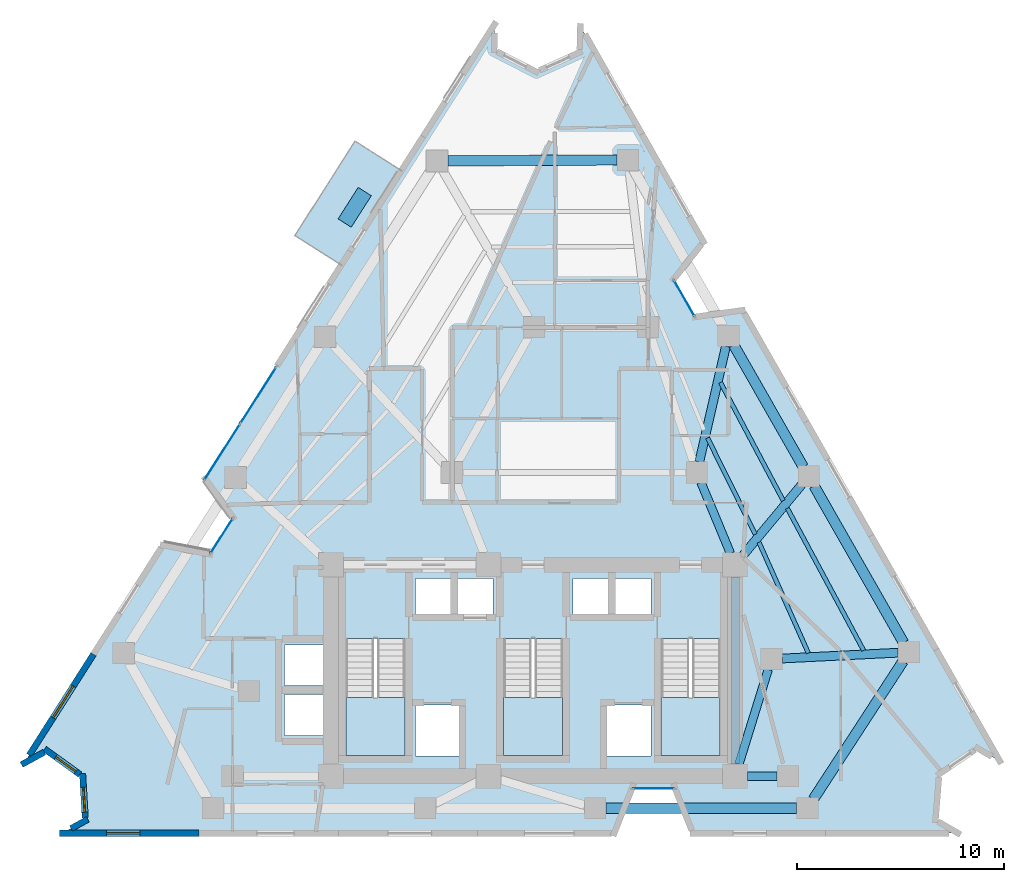
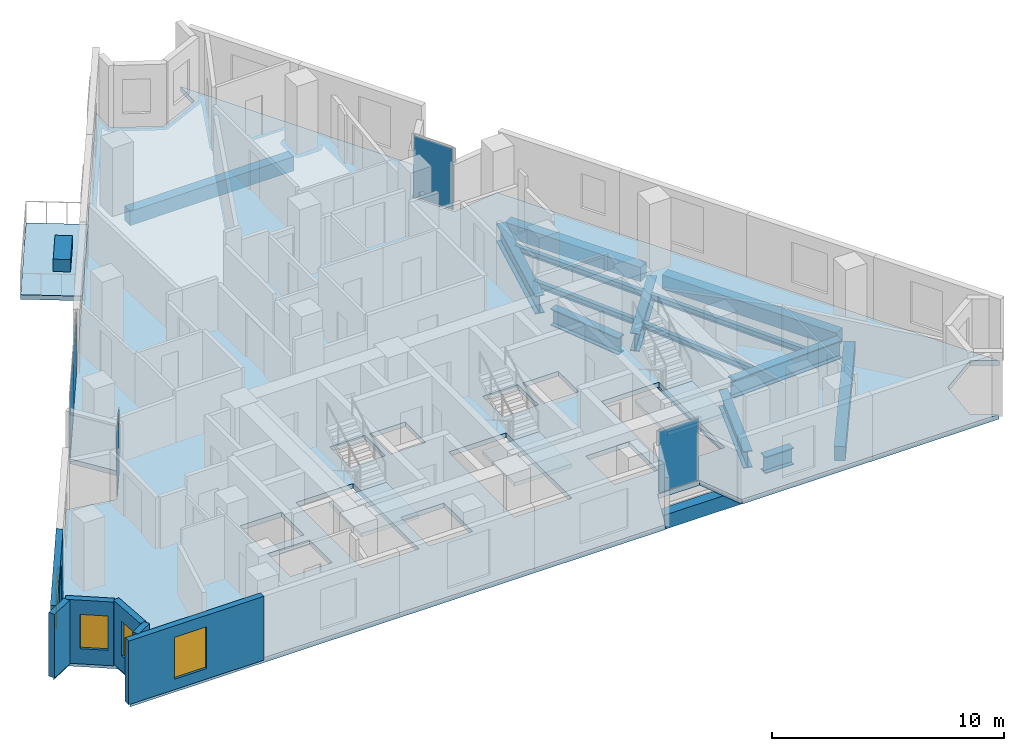
# One storey, part 4 of 11: 16 beams, 6 plates, 6 walls, 5 slabs, 4 windows, 4 openings, 7 elements without a shape of their own.
"""IFC4 building model written with IfcOpenShell, lengths in metres."""

from ifc_helpers import new_model, si_unit, direction, frame, frame_2d, origin, origin_2d, place, context, subcontext, project, spatial, polyline, rectangle, i_section, outline, extrude, material, layer, layer_set, material_profile, profile_set, type_object, element, fill, aggregate, save


model = new_model("IFC4")

# Units and contexts
model_context = context("Model", 3, precision=1e-05, world=origin(), true_north=direction((0.0, 1.0)))
body_context = subcontext(model_context, "Body", "Model", "MODEL_VIEW")
ifc_project = project(units=[si_unit("LENGTHUNIT", "METRE"), si_unit("AREAUNIT", "SQUARE_METRE"), si_unit("VOLUMEUNIT", "CUBIC_METRE"), si_unit("PLANEANGLEUNIT", "RADIAN"), si_unit("MASSUNIT", "GRAM", prefix="KILO")], contexts=[model_context])

# Site, building, storey
site_placement = place(None, origin())
site = spatial("IfcSite", under=ifc_project, at=site_placement, CompositionType="ELEMENT")
building_placement = place(site_placement, origin())
building = spatial("IfcBuilding", under=site, at=building_placement, Name="Almagre Mirador Tower", CompositionType="ELEMENT")
storey_placement = place(building_placement, frame((0.0, 0.0, 135.60009765625)))
storey = spatial("IfcBuildingStorey", under=building, at=storey_placement, Name="L34", CompositionType="ELEMENT", Elevation=135.60009765625)

# Beams
ifc_material_1 = material(Name="Steel ASTM A992 Grade 50", Category="steel")
ifc_material_profile_1 = material_profile(ifc_material_1, i_section(OverallWidth=0.205078125, OverallDepth=0.31005859375, WebThickness=0.009521484375, FlangeThickness=0.016357421875, FilletRadius=0.013916015625, at=origin_2d()), Name="W12X50")
ifc_profile_set_1 = profile_set([ifc_material_profile_1], Name="Steel ASTM A992 Grade 50")
beam_type_1 = type_object("IfcBeamType", Name="BM-JST-W12X50", PredefinedType="JOIST", material=ifc_profile_set_1)
beam_1_placement = place(storey_placement, frame((53.245849609375, 10.614501953125, -0.405029296875), z_axis=(-0.472731547303, 0.881206493499, 0.0), x_axis=(-0.881206493499, -0.472731547303, 0.0)))
element("IfcBeam", 1, at=beam_1_placement, inside=storey, type_object=beam_type_1, Name="L34 secondary floor joist PC05-PC06.1", PredefinedType="JOIST", context=body_context, shape_type="SweptSolid", body=[
    extrude(i_section(OverallWidth=0.205078125, OverallDepth=0.31005859375, WebThickness=0.009521484375, FlangeThickness=0.016357421875, FilletRadius=0.013916015625, at=origin_2d()), origin(), (0.0, 0.0, 1.0), 7.78125),
])
beam_2_placement = place(storey_placement, frame((50.578857421875, 10.48681640625, -0.405029296875), z_axis=(-0.406842691212, 0.913498234595, 0.0), x_axis=(-0.913498234595, -0.406842691212, 0.0)))
element("IfcBeam", 2, at=beam_2_placement, inside=storey, type_object=beam_type_1, Name="L34 secondary floor joist PC05-PC06.3", PredefinedType="JOIST", context=body_context, shape_type="SweptSolid", body=[
    extrude(i_section(OverallWidth=0.205078125, OverallDepth=0.31005859375, WebThickness=0.009521484375, FlangeThickness=0.016357421875, FilletRadius=0.013916015625, at=origin_2d()), origin(), (0.0, 0.0, 1.0), 5.853271484375),
])
beam_3_placement = place(storey_placement, frame((49.3681640625, 17.8447265625, -0.405029296875), z_axis=(-0.469192142404, 0.883096106608, 0.0), x_axis=(-0.883096106608, -0.469192142404, 0.0)))
element("IfcBeam", 3, at=beam_3_placement, inside=storey, type_object=beam_type_1, Name="L34 secondary floor joist PC06-PC07.1", PredefinedType="JOIST", context=body_context, shape_type="SweptSolid", body=[
    extrude(i_section(OverallWidth=0.205078125, OverallDepth=0.31005859375, WebThickness=0.009521484375, FlangeThickness=0.016357421875, FilletRadius=0.013916015625, at=origin_2d()), origin(), (0.0, 0.0, 1.0), 6.447021484375),
])
beam_4_placement = place(storey_placement, frame((48.017822265625, 16.216552734375, -0.405029296875), z_axis=(-0.44347714137, 0.896285682739, 0.0), x_axis=(-0.896285682739, -0.44347714137, 0.0)))
element("IfcBeam", 4, at=beam_4_placement, inside=storey, type_object=beam_type_1, Name="L34 secondary floor joist PC06-PC07.3", PredefinedType="JOIST", context=body_context, shape_type="SweptSolid", body=[
    extrude(i_section(OverallWidth=0.205078125, OverallDepth=0.31005859375, WebThickness=0.009521484375, FlangeThickness=0.016357421875, FilletRadius=0.013916015625, at=origin_2d()), origin(), (0.0, 0.0, 1.0), 5.180419921875),
])
ifc_material_2 = material(Name="Precast concrete C50/60", Category="concrete")
ifc_material_profile_2 = material_profile(ifc_material_2, rectangle(XDim=0.5, YDim=0.75, at=origin_2d()), Name="RC500X750")
ifc_profile_set_2 = profile_set([ifc_material_profile_2], Name="Precast concrete C50/60")
beam_type_2 = type_object("IfcBeamType", Name="BM-SPN-RC500X750", PredefinedType="SPANDREL", material=ifc_profile_set_2)
beam_5_placement = place(storey_placement, frame((40.821044921875, 3.0, -0.625), z_axis=(1.0, 0.0, 0.0), x_axis=(0.0, 1.0, 0.0)))
element("IfcBeam", 5, at=beam_5_placement, inside=storey, type_object=beam_type_2, Name="L34 perimeter spandrel beam PC03-PC04", PredefinedType="SPANDREL", context=body_context, shape_type="SweptSolid", body=[
    extrude(rectangle(XDim=0.5, YDim=0.75, at=origin_2d()), origin(), (0.0, 0.0, 1.0), 9.18994140625),
])
beam_6_placement = place(storey_placement, frame((50.822265625, 3.440185546875, -0.625), z_axis=(0.545085674256, 0.838380347885, 0.0), x_axis=(-0.838380347885, 0.545085674256, 0.0)))
element("IfcBeam", 6, at=beam_6_placement, inside=storey, type_object=beam_type_2, Name="L34 perimeter spandrel beam PC04-PC05", PredefinedType="SPANDREL", context=body_context, shape_type="SweptSolid", body=[
    extrude(rectangle(XDim=0.5, YDim=0.75, at=origin_2d()), origin(), (0.0, 0.0, 1.0), 7.935302734375),
])
beam_7_placement = place(storey_placement, frame((55.173828125, 10.989013671875, -0.625), z_axis=(-0.495713443993, 0.868486143496, 0.0), x_axis=(-0.868486143496, -0.495713443993, 0.0)))
element("IfcBeam", 7, at=beam_7_placement, inside=storey, type_object=beam_type_2, Name="L34 perimeter spandrel beam PC05-PC06", PredefinedType="SPANDREL", context=body_context, shape_type="SweptSolid", body=[
    extrude(rectangle(XDim=0.5, YDim=0.75, at=origin_2d()), origin(), (0.0, 0.0, 1.0), 8.7138671875),
])
beam_8_placement = place(storey_placement, frame((50.333740234375, 19.468994140625, -0.625), z_axis=(-0.495703346728, 0.868491906723, 0.0), x_axis=(-0.868491906723, -0.495703346728, 0.0)))
element("IfcBeam", 8, at=beam_8_placement, inside=storey, type_object=beam_type_2, Name="L34 perimeter spandrel beam PC06-PC07", PredefinedType="SPANDREL", context=body_context, shape_type="SweptSolid", body=[
    extrude(rectangle(XDim=0.5, YDim=0.75, at=origin_2d()), origin(), (0.0, 0.0, 1.0), 6.76123046875),
])
beam_9_placement = place(storey_placement, frame((41.35693359375, 34.274169921875, -0.625), z_axis=(-0.999985336868, -0.005415353079, 0.0), x_axis=(0.005415353079, -0.999985336868, 0.0)))
element("IfcBeam", 9, at=beam_9_placement, inside=storey, type_object=beam_type_2, Name="L34 perimeter spandrel beam PC08-PC09", PredefinedType="SPANDREL", context=body_context, shape_type="SweptSolid", body=[
    extrude(rectangle(XDim=0.5, YDim=0.75, at=origin_2d()), origin(), (0.0, 0.0, 1.0), 8.159912109375),
])
ifc_material_3 = material(Name="Steel ASTM A992 Grade 50", Category="steel")
ifc_material_profile_3 = material_profile(ifc_material_3, i_section(OverallWidth=0.404052734375, OverallDepth=0.884033203125, WebThickness=0.0244140625, FlangeThickness=0.0439453125, FilletRadius=0.02490234375, at=origin_2d()), Name="W33X291")
ifc_profile_set_3 = profile_set([ifc_material_profile_3], Name="Steel ASTM A992 Grade 50")
beam_type_3 = type_object("IfcBeamType", Name="BM-STL-W33X291", PredefinedType="BEAM", material=ifc_profile_set_3)
beam_10_placement = place(storey_placement, frame((47.050048828125, 5.14990234375, -0.692138671875), z_axis=(0.0, 1.0, 0.0), x_axis=(-1.0, 0.0, 0.0)))
element("IfcBeam", 10, at=beam_10_placement, inside=storey, type_object=beam_type_3, Name="L34 core tie girder CC3-CC6", PredefinedType="BEAM", context=body_context, shape_type="SweptSolid", body=[
    extrude(i_section(OverallWidth=0.404052734375, OverallDepth=0.884033203125, WebThickness=0.0244140625, FlangeThickness=0.0439453125, FilletRadius=0.02490234375, at=origin_2d()), origin(), (0.0, 0.0, 1.0), 9.0),
])
beam_11_placement = place(storey_placement, frame((49.074951171875, 4.550048828125, -0.692138671875), z_axis=(-1.0, 0.0, 0.0), x_axis=(0.0, -1.0, 0.0)))
element("IfcBeam", 11, at=beam_11_placement, inside=storey, type_object=beam_type_3, Name="L34 core tie girder MC2-CC3", PredefinedType="BEAM", context=body_context, shape_type="SweptSolid", body=[
    extrude(i_section(OverallWidth=0.404052734375, OverallDepth=0.884033203125, WebThickness=0.0244140625, FlangeThickness=0.0439453125, FilletRadius=0.02490234375, at=origin_2d()), origin(), (0.0, 0.0, 1.0), 1.425048828125),
])
beam_12_placement = place(storey_placement, frame((48.644775390625, 9.698486328125, -0.692138671875), z_axis=(-0.295879743348, -0.955225197258, 0.0), x_axis=(0.955225197258, -0.295879743348, 0.0)))
element("IfcBeam", 12, at=beam_12_placement, inside=storey, type_object=beam_type_3, Name="L34 core tie girder MC3-CC3", PredefinedType="BEAM", context=body_context, shape_type="SweptSolid", body=[
    extrude(i_section(OverallWidth=0.404052734375, OverallDepth=0.884033203125, WebThickness=0.0244140625, FlangeThickness=0.0439453125, FilletRadius=0.02490234375, at=origin_2d()), origin(), (0.0, 0.0, 1.0), 4.789794921875),
])
beam_13_placement = place(storey_placement, frame((45.401611328125, 18.715087890625, -0.692138671875), z_axis=(0.383845645019, -0.923397271384, 0.0), x_axis=(0.923397271384, 0.383845645019, 0.0)))
element("IfcBeam", 13, at=beam_13_placement, inside=storey, type_object=beam_type_3, Name="L34 core tie girder MC5-CC6", PredefinedType="BEAM", context=body_context, shape_type="SweptSolid", body=[
    extrude(i_section(OverallWidth=0.404052734375, OverallDepth=0.884033203125, WebThickness=0.0244140625, FlangeThickness=0.0439453125, FilletRadius=0.02490234375, at=origin_2d()), origin(), (0.0, 0.0, 1.0), 3.694091796875),
])
ifc_material_4 = material(Name="Steel ASTM A992 Grade 50", Category="steel")
ifc_material_profile_4 = material_profile(ifc_material_4, i_section(OverallWidth=0.423095703125, OverallDepth=0.947998046875, WebThickness=0.02392578125, FlangeThickness=0.042724609375, FilletRadius=0.028076171875, at=origin_2d()), Name="W36X302")
ifc_profile_set_4 = profile_set([ifc_material_profile_4], Name="Steel ASTM A992 Grade 50")
beam_type_4 = type_object("IfcBeamType", Name="BM-STL-W36X302", PredefinedType="BEAM", material=ifc_profile_set_4)
beam_14_placement = place(storey_placement, frame((54.90966796875, 10.506591796875, -0.72412109375), z_axis=(-0.998743395924, -0.050116156068, 0.0), x_axis=(0.050116156068, -0.998743395924, 0.0)))
element("IfcBeam", 14, at=beam_14_placement, inside=storey, type_object=beam_type_4, Name="L34 radial floor girder PC05-MC3", PredefinedType="BEAM", context=body_context, shape_type="SweptSolid", body=[
    extrude(i_section(OverallWidth=0.423095703125, OverallDepth=0.947998046875, WebThickness=0.02392578125, FlangeThickness=0.042724609375, FilletRadius=0.028076171875, at=origin_2d()), origin(), (0.0, 0.0, 1.0), 5.592529296875),
])
beam_15_placement = place(storey_placement, frame((50.25830078125, 18.609375, -0.72412109375), z_axis=(-0.639260058881, -0.768990622257, 0.0), x_axis=(0.768990622257, -0.639260058881, 0.0)))
element("IfcBeam", 15, at=beam_15_placement, inside=storey, type_object=beam_type_4, Name="L34 radial floor girder PC06-CC6", PredefinedType="BEAM", context=body_context, shape_type="SweptSolid", body=[
    extrude(i_section(OverallWidth=0.423095703125, OverallDepth=0.947998046875, WebThickness=0.02392578125, FlangeThickness=0.042724609375, FilletRadius=0.028076171875, at=origin_2d()), origin(), (0.0, 0.0, 1.0), 4.418701171875),
])
beam_16_placement = place(storey_placement, frame((46.60400390625, 25.285400390625, -0.72412109375), z_axis=(-0.224800280545, -0.974404861373, 0.0), x_axis=(0.974404861373, -0.224800280545, 0.0)))
element("IfcBeam", 16, at=beam_16_placement, inside=storey, type_object=beam_type_4, Name="L34 radial floor girder PC07-MC5", PredefinedType="BEAM", context=body_context, shape_type="SweptSolid", body=[
    extrude(i_section(OverallWidth=0.423095703125, OverallDepth=0.947998046875, WebThickness=0.02392578125, FlangeThickness=0.042724609375, FilletRadius=0.028076171875, at=origin_2d()), origin(), (0.0, 0.0, 1.0), 5.72021484375),
])

# Curtain wall, plate
ifc_material_5 = material(Name="Black anodized aluminium", Category="aluminium")
ifc_layer_1 = layer(ifc_material_5, 0.169921875)
ifc_layer_set_1 = layer_set([ifc_layer_1], Name="Black anodized aluminium")
curtain_wall_type_1 = type_object("IfcCurtainWallType", Name="CW-CRS-SYS", PredefinedType="NOTDEFINED", material=ifc_layer_set_1)
curtain_wall_1_placement = place(storey_placement, origin())
curtain_wall_1 = element("IfcCurtainWall", 17, at=curtain_wall_1_placement, inside=storey, type_object=curtain_wall_type_1, Name="L34 vertical crease curtain wall 01", PredefinedType="NOTDEFINED")
ifc_material_6 = material(Name="Dark solar-control laminated hurricane glass", Category="glass")
ifc_layer_2 = layer(ifc_material_6, 0.028076171875)
ifc_layer_set_2 = layer_set([ifc_layer_2], Name="Dark solar-control laminated hurricane glass")
plate_type_1 = type_object("IfcPlateType", Name="PLT-GLZ-28", PredefinedType="CURTAIN_PANEL", material=ifc_layer_set_2)
plate_1_placement = place(storey_placement, frame((22.281005859375, 16.140380859375, 0.059814453125), z_axis=(0.0, 0.0, 1.0), x_axis=(0.536906455298, 0.84364178314, 0.0)))
plate_1 = element("IfcPlate", 18, at=plate_1_placement, type_object=plate_type_1, Name="CW-4 panel 1.1", PredefinedType="CURTAIN_PANEL", context=body_context, shape_type="SweptSolid", body=[
    extrude(rectangle(XDim=1.9697265625, YDim=0.028076171875, at=origin_2d()), origin(), (0.0, 0.0, 1.0), 3.22998046875),
])
aggregate(curtain_wall_1, [plate_1])

curtain_wall_2_placement = place(storey_placement, origin())
curtain_wall_2 = element("IfcCurtainWall", 19, at=curtain_wall_2_placement, inside=storey, type_object=curtain_wall_type_1, Name="L34 vertical crease curtain wall 03", PredefinedType="NOTDEFINED")
plate_2_placement = place(storey_placement, frame((44.594970703125, 27.6064453125, 0.059814453125), z_axis=(0.0, 0.0, 1.0), x_axis=(0.495726635757, -0.868478613785, 0.0)))
plate_2 = element("IfcPlate", 20, at=plate_2_placement, type_object=plate_type_1, Name="CW-4 panel 1.1", PredefinedType="CURTAIN_PANEL", context=body_context, shape_type="SweptSolid", body=[
    extrude(rectangle(XDim=1.969970703125, YDim=0.028076171875, at=origin_2d()), origin(), (0.0, 0.0, 1.0), 3.22998046875),
])
aggregate(curtain_wall_2, [plate_2])

curtain_wall_3_placement = place(storey_placement, origin())
curtain_wall_3 = element("IfcCurtainWall", 21, at=curtain_wall_3_placement, inside=storey, type_object=curtain_wall_type_1, Name="L34 vertical crease curtain wall 04", PredefinedType="NOTDEFINED")
plate_3_placement = place(storey_placement, frame((43.112060546875, 3.949951171875, 0.059814453125), z_axis=(0.0, 0.0, 1.0), x_axis=(-1.0, 0.0, 0.0)))
plate_3 = element("IfcPlate", 22, at=plate_3_placement, type_object=plate_type_1, Name="CW-4 panel 1.1", PredefinedType="CURTAIN_PANEL", context=body_context, shape_type="SweptSolid", body=[
    extrude(rectangle(XDim=1.969970703125, YDim=0.028076171875, at=origin_2d()), origin(), (0.0, 0.0, 1.0), 3.22998046875),
])
aggregate(curtain_wall_3, [plate_3])

# Curtain wall, plates
ifc_material_7 = material(Name="Black anodized aluminium", Category="aluminium")
ifc_layer_3 = layer(ifc_material_7, 0.199951171875)
ifc_layer_set_3 = layer_set([ifc_layer_3], Name="Black anodized aluminium")
curtain_wall_type_2 = type_object("IfcCurtainWallType", Name="CW-RES-H-SYS", PredefinedType="NOTDEFINED", material=ifc_layer_set_3)
curtain_wall_4_placement = place(storey_placement, origin())
curtain_wall_4 = element("IfcCurtainWall", 23, at=curtain_wall_4_placement, inside=storey, type_object=curtain_wall_type_2, Name="L34 curtain wall run 02", PredefinedType="NOTDEFINED")
ifc_material_8 = material(Name="Dark solar-control laminated hurricane glass", Category="glass")
ifc_layer_4 = layer(ifc_material_8, 0.035888671875)
ifc_layer_set_4 = layer_set([ifc_layer_4], Name="Dark solar-control laminated hurricane glass")
plate_type_2 = type_object("IfcPlateType", Name="PLT-GLZ-36", PredefinedType="CURTAIN_PANEL", material=ifc_layer_set_4)
plate_4_placement = place(storey_placement, frame((22.3037109375, 20.178955078125, 0.06494140625), z_axis=(0.0, 0.0, 1.0), x_axis=(0.537125661825, 0.843502236754, 0.0)))
plate_4 = element("IfcPlate", 24, at=plate_4_placement, type_object=plate_type_2, Name="CW-3 panel 1.1", PredefinedType="CURTAIN_PANEL", context=body_context, shape_type="SweptSolid", body=[
    extrude(rectangle(XDim=3.18701171875, YDim=0.035888671875, at=origin_2d()), origin(), (0.0, 0.0, 1.0), 3.219970703125),
])
plate_5_placement = place(storey_placement, frame((24.05029296875, 22.921875, 0.06494140625), z_axis=(0.0, 0.0, 1.0), x_axis=(0.537125661825, 0.843502236754, 0.0)))
plate_5 = element("IfcPlate", 25, at=plate_5_placement, type_object=plate_type_2, Name="CW-3 panel 2.1", PredefinedType="CURTAIN_PANEL", context=body_context, shape_type="SweptSolid", body=[
    extrude(rectangle(XDim=3.18701171875, YDim=0.035888671875, at=origin_2d()), origin(), (0.0, 0.0, 1.0), 3.219970703125),
])
aggregate(curtain_wall_4, [plate_4, plate_5])

# Plate
ifc_material_9 = material(Name="Precast concrete C50/60", Category="concrete")
ifc_layer_5 = layer(ifc_material_9, 0.64990234375)
ifc_layer_set_5 = layer_set([ifc_layer_5], Name="Precast concrete C50/60")
plate_type_3 = type_object("IfcPlateType", Name="PLT-PLANTER-1800", PredefinedType="USERDEFINED", material=ifc_layer_set_5)
plate_6_placement = place(storey_placement, frame((28.698974609375, 31.989990234375, 0.0), z_axis=(0.0, 0.0, 1.0), x_axis=(-0.537137678912, -0.843494584389, 0.0)))
element("IfcPlate", 26, at=plate_6_placement, inside=storey, type_object=plate_type_3, Name="L34 west balcony structural tree planter 2", ObjectType="PLANTER", PredefinedType="USERDEFINED", context=body_context, shape_type="SweptSolid", body=[
    extrude(rectangle(XDim=1.800048828125, YDim=0.75, at=origin_2d()), origin(), (0.0, 0.0, 1.0), 0.64990234375),
])

# Slabs
ifc_material_10 = material(Name="Concrete C45/55", Category="concrete")
ifc_layer_6 = layer(ifc_material_10, 0.239990234375)
ifc_layer_set_6 = layer_set([ifc_layer_6], Name="Concrete C45/55")
slab_type_1 = type_object("IfcSlabType", Name="SLB-BAL-240", PredefinedType="USERDEFINED", material=ifc_layer_set_6)
slab_1_placement = place(storey_placement, frame((0.0, 0.0, -0.239990234375)))
element("IfcSlab", 27, at=slab_1_placement, inside=storey, type_object=slab_type_1, Name="L34 west planted tree balcony 2", ObjectType="BALCONY", PredefinedType="USERDEFINED", context=body_context, shape_type="SweptSolid", body=[
    extrude(outline(polyline([(30.967041015625, 33.74609375), (28.06689453125, 29.19189453125), (25.81396484375, 30.6259765625), (28.715087890625, 35.180908203125), (30.967041015625, 33.74609375)])), origin(), (0.0, 0.0, 1.0), 0.239990234375),
])
ifc_material_11 = material(Name="Concrete C45/55", Category="concrete")
ifc_layer_7 = layer(ifc_material_11, 0.25)
ifc_layer_set_7 = layer_set([ifc_layer_7], Name="Concrete C45/55")
slab_type_2 = type_object("IfcSlabType", Name="SLB-FLR-250", PredefinedType="FLOOR", material=ifc_layer_set_7)
slab_2_placement = place(storey_placement, frame((0.0, 0.0, -0.25)))
element("IfcSlab", 28, at=slab_2_placement, inside=storey, type_object=slab_type_2, Name="L34 structural floor slab", PredefinedType="FLOOR", context=body_context, shape_type="SweptSolid", body=[
    extrude(outline(polyline([(12.7490234375, 5.174072265625), (13.85302734375, 5.780029296875), (15.580078125, 4.532958984375), (15.705078125, 2.406005859375), (14.60009765625, 1.800048828125), (41.2119140625, 1.800048828125), (42.06689453125, 3.949951171875), (44.156982421875, 3.949951171875), (45.011962890625, 1.800048828125), (57.800048828125, 1.800048828125), (56.7099609375, 2.43310546875), (56.887939453125, 4.652099609375), (58.72802734375, 5.906982421875), (59.81689453125, 5.27392578125), (47.404052734375, 27.02197265625), (45.113037109375, 26.698974609375), (44.076904296875, 28.513916015625), (45.52099609375, 30.322021484375), (39.5830078125, 40.72607421875), (39.552001953125, 39.466064453125), (37.462890625, 38.52197265625), (35.4208984375, 39.56591796875), (35.450927734375, 40.825927734375), (21.488037109375, 18.89794921875), (22.842041015625, 17.02197265625), (21.719970703125, 15.259033203125), (19.447021484375, 15.693115234375), (12.7490234375, 5.174072265625)]), holes=[polyline([(43.47509765625, 5.550048828125), (43.47509765625, 11.196044921875), (46.324951171875, 11.196044921875), (46.324951171875, 5.550048828125), (43.47509765625, 5.550048828125)]), polyline([(40.820068359375, 5.52001953125), (40.820068359375, 7.97998046875), (42.97998046875, 7.97998046875), (42.97998046875, 5.52001953125), (40.820068359375, 5.52001953125)]), polyline([(41.219970703125, 12.320068359375), (41.219970703125, 14.080078125), (42.97998046875, 14.080078125), (42.97998046875, 12.320068359375), (41.219970703125, 12.320068359375)]), polyline([(39.219970703125, 12.320068359375), (39.219970703125, 14.080078125), (40.97998046875, 14.080078125), (40.97998046875, 12.320068359375), (39.219970703125, 12.320068359375)]), polyline([(35.875, 11.196044921875), (38.72509765625, 11.196044921875), (38.72509765625, 5.550048828125), (35.875, 5.550048828125), (35.875, 11.196044921875)]), polyline([(35.3798828125, 12.320068359375), (33.6201171875, 12.320068359375), (33.6201171875, 14.080078125), (35.3798828125, 14.080078125), (35.3798828125, 12.320068359375)]), polyline([(33.780029296875, 5.52001953125), (31.6201171875, 5.52001953125), (31.6201171875, 7.97998046875), (33.780029296875, 7.97998046875), (33.780029296875, 5.52001953125)]), polyline([(31.6201171875, 12.320068359375), (31.6201171875, 14.080078125), (33.3798828125, 14.080078125), (33.3798828125, 12.320068359375), (31.6201171875, 12.320068359375)]), polyline([(28.27490234375, 5.550048828125), (28.27490234375, 11.196044921875), (31.125, 11.196044921875), (31.125, 5.550048828125), (28.27490234375, 5.550048828125)]), polyline([(25.320068359375, 8.919921875), (25.320068359375, 10.8798828125), (27.3798828125, 10.8798828125), (27.3798828125, 8.919921875), (25.320068359375, 8.919921875)]), polyline([(27.3798828125, 6.52001953125), (25.320068359375, 6.52001953125), (25.320068359375, 8.47998046875), (27.3798828125, 8.47998046875), (27.3798828125, 6.52001953125)])]), origin(), (0.0, 0.0, 1.0), 0.25),
])

# Stair, slab
ifc_material_12 = material(Name="Concrete C45/55", Category="concrete")
stair_type = type_object("IfcStairType", Name="STR-DL-3600", PredefinedType="HALF_TURN_STAIR", material=ifc_material_12)
stair_1_placement = place(storey_placement, origin())
stair_1 = element("IfcStair", 29, at=stair_1_placement, inside=storey, type_object=stair_type, Name="L34 Protected exit stair ST-1", PredefinedType="HALF_TURN_STAIR")
ifc_material_13 = material(Name="Concrete C45/55", Category="concrete")
ifc_layer_8 = layer(ifc_material_13, 0.199951171875)
ifc_layer_set_8 = layer_set([ifc_layer_8], Name="Concrete C45/55")
slab_type_3 = type_object("IfcSlabType", Name="SLB-LND-200", PredefinedType="LANDING", material=ifc_layer_set_8)
slab_3_placement = place(storey_placement, frame((0.0, 0.0, 1.599853515625)))
slab_3 = element("IfcSlab", 30, at=slab_3_placement, type_object=slab_type_3, Name="ST-1 landing 1", PredefinedType="LANDING", context=body_context, shape_type="SweptSolid", body=[
    extrude(outline(polyline([(28.27490234375, 8.35009765625), (28.27490234375, 5.550048828125), (31.125, 5.550048828125), (31.125, 8.35009765625), (28.27490234375, 8.35009765625)])), origin(), (0.0, 0.0, 1.0), 0.199951171875),
])
aggregate(stair_1, [slab_3])

stair_2_placement = place(storey_placement, origin())
stair_2 = element("IfcStair", 31, at=stair_2_placement, inside=storey, type_object=stair_type, Name="L34 Protected exit stair ST-2", PredefinedType="HALF_TURN_STAIR")
slab_4_placement = place(storey_placement, frame((0.0, 0.0, 1.599853515625)))
slab_4 = element("IfcSlab", 32, at=slab_4_placement, type_object=slab_type_3, Name="ST-2 landing 1", PredefinedType="LANDING", context=body_context, shape_type="SweptSolid", body=[
    extrude(outline(polyline([(35.875, 8.35009765625), (35.875, 5.550048828125), (38.72509765625, 5.550048828125), (38.72509765625, 8.35009765625), (35.875, 8.35009765625)])), origin(), (0.0, 0.0, 1.0), 0.199951171875),
])
aggregate(stair_2, [slab_4])

stair_3_placement = place(storey_placement, origin())
stair_3 = element("IfcStair", 33, at=stair_3_placement, inside=storey, type_object=stair_type, Name="L34 Protected exit stair ST-3", PredefinedType="HALF_TURN_STAIR")
slab_5_placement = place(storey_placement, frame((0.0, 0.0, 1.599853515625)))
slab_5 = element("IfcSlab", 34, at=slab_5_placement, type_object=slab_type_3, Name="ST-3 landing 1", PredefinedType="LANDING", context=body_context, shape_type="SweptSolid", body=[
    extrude(outline(polyline([(43.47509765625, 8.35009765625), (43.47509765625, 5.550048828125), (46.324951171875, 5.550048828125), (46.324951171875, 8.35009765625), (43.47509765625, 8.35009765625)])), origin(), (0.0, 0.0, 1.0), 0.199951171875),
])
aggregate(stair_3, [slab_5])

# Wall, opening, window
ifc_material_14 = material(Name="Precast concrete C50/60", Category="concrete")
ifc_layer_9 = layer(ifc_material_14, 0.300048828125)
ifc_layer_set_9 = layer_set([ifc_layer_9], Name="Precast concrete C50/60")
wall_type = type_object("IfcWallType", Name="WAL-EXT-300", PredefinedType="SOLIDWALL", material=ifc_layer_set_9)
wall_1_placement = place(storey_placement, frame((21.18310546875, 1.800048828125, 0.0), z_axis=(0.0, 0.0, 1.0), x_axis=(-1.0, 0.0, 0.0)))
wall_1 = element("IfcWall", 35, at=wall_1_placement, inside=storey, type_object=wall_type, Name="L34 expressed almagre precast frame wall 29", PredefinedType="SOLIDWALL", context=body_context, shape_type="SweptSolid", body=[
    extrude(rectangle(XDim=6.72314453125, YDim=0.300048828125, at=frame_2d((3.361572265625, 0.0))), origin(), (0.0, 0.0, 1.0), 3.349853515625),
])
opening_1_placement = place(wall_1_placement, frame((2.85009765625, 0.0, 0.550048828125)))
opening_1 = element("IfcOpeningElement", 36, at=opening_1_placement, cuts=wall_1, Name="Opening WN-06", PredefinedType="OPENING", context=body_context, shape_type="SweptSolid", body=[
    extrude(rectangle(XDim=1.60009765625, YDim=2.199951171875, at=frame_2d((0.800048828125, 1.10009765625))), frame((0.0, 0.159902, 0.0), z_axis=(0.0, -1.0, 0.0), x_axis=(1.0, 0.0, 0.0)), (0.0, 0.0, 1.0), 0.320049),
])
ifc_material_15 = material(Name="Dark solar-control laminated hurricane glass", Category="glass")
window_type_1 = type_object("IfcWindowType", Name="WIN-1600X2200", PartitioningType="DOUBLE_PANEL_VERTICAL", PredefinedType="WINDOW", material=ifc_material_15)
window_1_placement = place(opening_1_placement, origin())
window_1 = element("IfcWindow", 37, at=window_1_placement, inside=storey, type_object=window_type_1, Name="L34 recessed hurricane window L34-RST-A", OverallHeight=2.199951171875, OverallWidth=1.60009765625, PartitioningType="SINGLE_PANEL", PredefinedType="WINDOW", context=body_context, shape_type="SweptSolid", body=[
    extrude(rectangle(XDim=1.60009765625, YDim=2.199951171875, at=frame_2d((0.800048828125, 1.10009765625))), frame((0.0, 0.030029296875, 0.0), z_axis=(0.0, -1.0, 0.0), x_axis=(1.0, 0.0, 0.0)), (0.0, 0.0, 1.0), 0.06005859375),
])
fill(opening_1, window_1)

# Wall
wall_2_placement = place(storey_placement, frame((15.016357421875, 2.0283203125, 0.0), z_axis=(0.0, 0.0, 1.0), x_axis=(0.876794471231, 0.48086531921, 0.0)))
element("IfcWall", 38, at=wall_2_placement, inside=storey, type_object=wall_type, Name="L34 expressed almagre precast frame wall 30", PredefinedType="SOLIDWALL", context=body_context, shape_type="SweptSolid", body=[
    extrude(rectangle(XDim=0.925537109375, YDim=0.300048828125, at=frame_2d((0.462890625, 0.0))), origin(), (0.0, 0.0, 1.0), 3.349853515625),
])

# Wall, opening, window
wall_3_placement = place(storey_placement, frame((15.696533203125, 2.55078125, 0.0), z_axis=(0.0, 0.0, 1.0), x_axis=(-0.058688358982, 0.99827635278, 0.0)))
wall_3 = element("IfcWall", 39, at=wall_3_placement, inside=storey, type_object=wall_type, Name="L34 expressed almagre precast frame wall 31", PredefinedType="SOLIDWALL", context=body_context, shape_type="SweptSolid", body=[
    extrude(rectangle(XDim=2.125732421875, YDim=0.300048828125, at=frame_2d((1.06298828125, 0.0))), origin(), (0.0, 0.0, 1.0), 3.349853515625),
])
opening_2_placement = place(wall_3_placement, frame((0.264892578125, 0.0, 0.800048828125)))
opening_2 = element("IfcOpeningElement", 40, at=opening_2_placement, cuts=wall_3, Name="Opening WN-04", PredefinedType="OPENING", context=body_context, shape_type="SweptSolid", body=[
    extrude(rectangle(XDim=1.199951171875, YDim=1.800048828125, at=frame_2d((0.60009765625, 0.89990234375))), frame((0.0, 0.159902, 0.0), z_axis=(0.0, -1.0, 0.0), x_axis=(1.0, 0.0, 0.0)), (0.0, 0.0, 1.0), 0.320049),
])
ifc_material_16 = material(Name="Dark solar-control laminated hurricane glass", Category="glass")
window_type_2 = type_object("IfcWindowType", Name="WIN-1200X1800", PartitioningType="SINGLE_PANEL", PredefinedType="WINDOW", material=ifc_material_16)
window_2_placement = place(opening_2_placement, origin())
window_2 = element("IfcWindow", 41, at=window_2_placement, inside=storey, type_object=window_type_2, Name="L34 recessed hurricane window L34-RST-A", OverallHeight=1.800048828125, OverallWidth=1.199951171875, PartitioningType="SINGLE_PANEL", PredefinedType="WINDOW", context=body_context, shape_type="SweptSolid", body=[
    extrude(rectangle(XDim=1.199951171875, YDim=1.800048828125, at=frame_2d((0.60009765625, 0.89990234375))), frame((0.0, 0.030029296875, 0.0), z_axis=(0.0, -1.0, 0.0), x_axis=(1.0, 0.0, 0.0)), (0.0, 0.0, 1.0), 0.06005859375),
])
fill(opening_2, window_2)

wall_4_placement = place(storey_placement, frame((15.4501953125, 4.626708984375, 0.0), z_axis=(0.0, 0.0, 1.0), x_axis=(-0.810712787228, 0.585444084969, 0.0)))
wall_4 = element("IfcWall", 42, at=wall_4_placement, inside=storey, type_object=wall_type, Name="L34 expressed almagre precast frame wall 32", PredefinedType="SOLIDWALL", context=body_context, shape_type="SweptSolid", body=[
    extrude(rectangle(XDim=2.110107421875, YDim=0.300048828125, at=frame_2d((1.05517578125, 0.0))), origin(), (0.0, 0.0, 1.0), 3.349853515625),
])
opening_3_placement = place(wall_4_placement, frame((0.25, 0.0, 0.800048828125)))
opening_3 = element("IfcOpeningElement", 43, at=opening_3_placement, cuts=wall_4, Name="Opening WN-04", PredefinedType="OPENING", context=body_context, shape_type="SweptSolid", body=[
    extrude(rectangle(XDim=1.199951171875, YDim=1.800048828125, at=frame_2d((0.60009765625, 0.89990234375))), frame((0.0, 0.159902, 0.0), z_axis=(0.0, -1.0, 0.0), x_axis=(1.0, 0.0, 0.0)), (0.0, 0.0, 1.0), 0.320049),
])
window_3_placement = place(opening_3_placement, origin())
window_3 = element("IfcWindow", 44, at=window_3_placement, inside=storey, type_object=window_type_2, Name="L34 recessed hurricane window L34-RST-A", OverallHeight=1.800048828125, OverallWidth=1.199951171875, PartitioningType="SINGLE_PANEL", PredefinedType="WINDOW", context=body_context, shape_type="SweptSolid", body=[
    extrude(rectangle(XDim=1.199951171875, YDim=1.800048828125, at=frame_2d((0.60009765625, 0.89990234375))), frame((0.0, 0.030029296875, 0.0), z_axis=(0.0, -1.0, 0.0), x_axis=(1.0, 0.0, 0.0)), (0.0, 0.0, 1.0), 0.06005859375),
])
fill(opening_3, window_3)

# Wall
wall_5_placement = place(storey_placement, frame((13.725830078125, 5.710205078125, 0.0), z_axis=(0.0, 0.0, 1.0), x_axis=(-0.876642942611, -0.481141508467, 0.0)))
element("IfcWall", 45, at=wall_5_placement, inside=storey, type_object=wall_type, Name="L34 expressed almagre precast frame wall 33", PredefinedType="SOLIDWALL", context=body_context, shape_type="SweptSolid", body=[
    extrude(rectangle(XDim=1.25439453125, YDim=0.300048828125, at=frame_2d((0.627197265625, 0.0))), origin(), (0.0, 0.0, 1.0), 3.349853515625),
])

# Wall, opening, window
wall_6_placement = place(storey_placement, frame((12.998779296875, 5.566162109375, 0.0), z_axis=(0.0, 0.0, 1.0), x_axis=(0.537080803341, 0.843530800079, 0.0)))
wall_6 = element("IfcWall", 46, at=wall_6_placement, inside=storey, type_object=wall_type, Name="L34 expressed almagre precast frame wall 34", PredefinedType="SOLIDWALL", context=body_context, shape_type="SweptSolid", body=[
    extrude(rectangle(XDim=5.770263671875, YDim=0.300048828125, at=frame_2d((2.88525390625, 0.0))), origin(), (0.0, 0.0, 1.0), 3.349853515625),
])
opening_4_placement = place(wall_6_placement, frame((2.14501953125, 0.0, 0.60009765625)))
opening_4 = element("IfcOpeningElement", 47, at=opening_4_placement, cuts=wall_6, Name="Opening WN-01", PredefinedType="OPENING", context=body_context, shape_type="SweptSolid", body=[
    extrude(rectangle(XDim=1.800048828125, YDim=2.10009765625, at=frame_2d((0.89990234375, 1.050048828125))), frame((0.0, 0.159902, 0.0), z_axis=(0.0, -1.0, 0.0), x_axis=(1.0, 0.0, 0.0)), (0.0, 0.0, 1.0), 0.320049),
])
ifc_material_17 = material(Name="Dark solar-control laminated hurricane glass", Category="glass")
window_type_3 = type_object("IfcWindowType", Name="WIN-1800X2100", PartitioningType="DOUBLE_PANEL_VERTICAL", PredefinedType="WINDOW", material=ifc_material_17)
window_4_placement = place(opening_4_placement, origin())
window_4 = element("IfcWindow", 48, at=window_4_placement, inside=storey, type_object=window_type_3, Name="L34 recessed hurricane window L34-RST-A", OverallHeight=2.10009765625, OverallWidth=1.800048828125, PartitioningType="SINGLE_PANEL", PredefinedType="WINDOW", context=body_context, shape_type="SweptSolid", body=[
    extrude(rectangle(XDim=1.800048828125, YDim=2.10009765625, at=frame_2d((0.89990234375, 1.050048828125))), frame((0.0, 0.030029296875, 0.0), z_axis=(0.0, -1.0, 0.0), x_axis=(1.0, 0.0, 0.0)), (0.0, 0.0, 1.0), 0.06005859375),
])
fill(opening_4, window_4)

save(model, "model.ifc")
